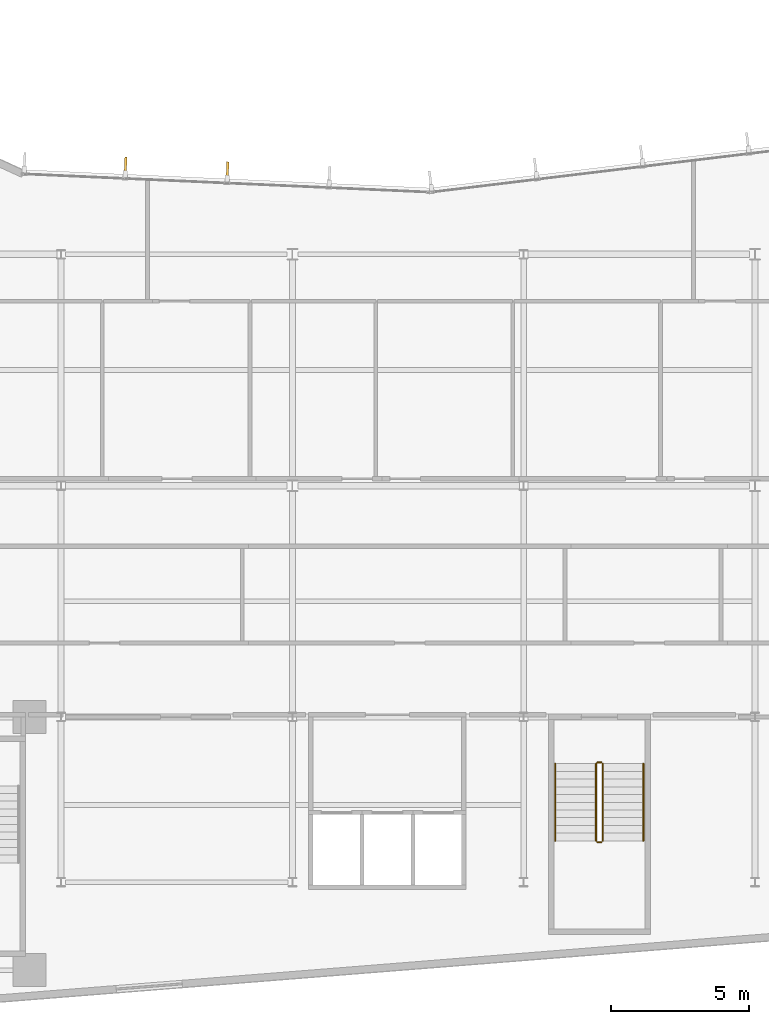
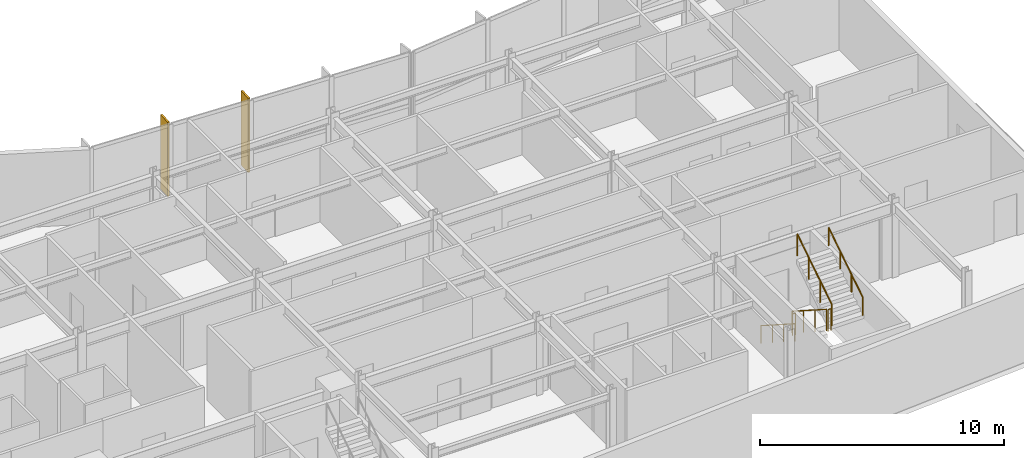
# One storey, part 14 of 17: 6 railings, 2 shading devices.
"""IFC4 building model written with IfcOpenShell, lengths in metres."""

from ifc_helpers import new_model, si_unit, direction, frame, origin, origin_2d, place, context, subcontext, project, spatial, rectangle, circle, extrude, material, layer, layer_set, type_object, element, save


model = new_model("IFC4")

# Units and contexts
model_context = context("Model", 3, precision=1e-05, world=origin(), true_north=direction((0.0, 1.0)))
body_context = subcontext(model_context, "Body", "Model", "MODEL_VIEW")
ifc_project = project(units=[si_unit("LENGTHUNIT", "METRE"), si_unit("AREAUNIT", "SQUARE_METRE"), si_unit("VOLUMEUNIT", "CUBIC_METRE"), si_unit("PLANEANGLEUNIT", "RADIAN"), si_unit("MASSUNIT", "GRAM", prefix="KILO")], contexts=[model_context])

# Site, building, storey
site_placement = place(None, origin())
site = spatial("IfcSite", under=ifc_project, at=site_placement, CompositionType="ELEMENT")
building_placement = place(site_placement, origin())
building = spatial("IfcBuilding", under=site, at=building_placement, Name="Varnakote Quay Hospital", CompositionType="ELEMENT")
storey_placement = place(building_placement, frame((0.0, 0.0, 111.25)))
storey = spatial("IfcBuildingStorey", under=building, at=storey_placement, Name="L27", CompositionType="ELEMENT", Elevation=111.25)

# Railings
ifc_material_1 = material(Name="Brushed stainless steel balustrade", Category="steel")
railing_type_1 = type_object("IfcRailingType", Name="RLG-STAIR-GUARD-1150", PredefinedType="GUARDRAIL", material=ifc_material_1)
railing_1_placement = place(storey_placement, frame((44.6298828125, 10.300048828125, 0.179443359375)))
element("IfcRailing", 1, at=railing_1_placement, inside=storey, type_object=railing_type_1, Name="L27 ST-03 stair guard 1", PredefinedType="GUARDRAIL", context=body_context, shape_type="SweptSolid", body=[
    extrude(circle(Radius=0.02392578125, at=origin_2d()), frame((0.0, 0.0, 1.076171875), z_axis=(0.0, -0.841776520102, 0.539826166654), x_axis=(1.0, 0.0, 0.0)), (0.0, 0.0, 1.0), 3.326416015625),
    extrude(circle(Radius=0.02099609375, at=origin_2d()), origin(), (0.0, 0.0, 1.0), 1.052001953125),
    extrude(circle(Radius=0.02099609375, at=origin_2d()), frame((0.0, -0.933349609375, 0.5986328125)), (0.0, 0.0, 1.0), 1.052001953125),
    extrude(circle(Radius=0.02099609375, at=origin_2d()), frame((0.0, -1.86669921875, 1.197021484375)), (0.0, 0.0, 1.0), 1.052001953125),
    extrude(circle(Radius=0.02099609375, at=origin_2d()), frame((0.0, -2.800048828125, 1.795654296875)), (0.0, 0.0, 1.0), 1.052001953125),
])
railing_2_placement = place(storey_placement, frame((44.679931640625, 7.449951171875, 1.97509765625)))
element("IfcRailing", 2, at=railing_2_placement, inside=storey, type_object=railing_type_1, Name="L27 ST-03 stair guard 2", PredefinedType="GUARDRAIL", context=body_context, shape_type="SweptSolid", body=[
    extrude(circle(Radius=0.02392578125, at=origin_2d()), frame((0.0, 0.0, 1.076171875), z_axis=(1.0, 0.0, 0.0), x_axis=(0.0, 1.0, 0.0)), (0.0, 0.0, 1.0), 0.14013671875),
    extrude(circle(Radius=0.02099609375, at=origin_2d()), origin(), (0.0, 0.0, 1.0), 1.052001953125),
    extrude(circle(Radius=0.02099609375, at=origin_2d()), frame((0.14013671875, 0.0, 0.0)), (0.0, 0.0, 1.0), 1.052001953125),
])
railing_3_placement = place(storey_placement, frame((44.8701171875, 7.5, 2.154541015625)))
element("IfcRailing", 3, at=railing_3_placement, inside=storey, type_object=railing_type_1, Name="L27 ST-03 stair guard 3", PredefinedType="GUARDRAIL", context=body_context, shape_type="SweptSolid", body=[
    extrude(circle(Radius=0.02392578125, at=origin_2d()), frame((0.0, 0.0, 1.076171875), z_axis=(0.0, 0.841809871826, 0.539774156196), x_axis=(-1.0, 0.0, 0.0)), (0.0, 0.0, 1.0), 3.326171875),
    extrude(circle(Radius=0.02099609375, at=origin_2d()), origin(), (0.0, 0.0, 1.0), 1.052001953125),
    extrude(circle(Radius=0.02099609375, at=origin_2d()), frame((0.0, 0.933349609375, 0.598388671875)), (0.0, 0.0, 1.0), 1.052001953125),
    extrude(circle(Radius=0.02099609375, at=origin_2d()), frame((0.0, 1.86669921875, 1.197021484375)), (0.0, 0.0, 1.0), 1.052001953125),
    extrude(circle(Radius=0.02099609375, at=origin_2d()), frame((0.0, 2.800048828125, 1.79541015625)), (0.0, 0.0, 1.0), 1.052001953125),
])
railing_4_placement = place(storey_placement, frame((44.679931640625, 10.35009765625, 0.0)))
element("IfcRailing", 4, at=railing_4_placement, inside=storey, type_object=railing_type_1, Name="L27 ST-03 stair guard 4", PredefinedType="GUARDRAIL", context=body_context, shape_type="SweptSolid", body=[
    extrude(circle(Radius=0.02392578125, at=origin_2d()), frame((0.0, 0.0, 1.076171875), z_axis=(1.0, 0.0, 0.0), x_axis=(0.0, 1.0, 0.0)), (0.0, 0.0, 1.0), 0.14013671875),
    extrude(circle(Radius=0.02099609375, at=origin_2d()), origin(), (0.0, 0.0, 1.0), 1.052001953125),
    extrude(circle(Radius=0.02099609375, at=origin_2d()), frame((0.14013671875, 0.0, 0.0)), (0.0, 0.0, 1.0), 1.052001953125),
])
ifc_material_2 = material(Name="Brushed stainless steel handrail", Category="steel")
railing_type_2 = type_object("IfcRailingType", Name="RLG-STAIR-HND-920", PredefinedType="HANDRAIL", material=ifc_material_2)
railing_5_placement = place(storey_placement, frame((43.14990234375, 10.300048828125, 0.179443359375)))
element("IfcRailing", 5, at=railing_5_placement, inside=storey, type_object=railing_type_2, Name="L27 ST-03 stair handrail 1", PredefinedType="HANDRAIL", context=body_context, shape_type="SweptSolid", body=[
    extrude(circle(Radius=0.02392578125, at=origin_2d()), frame((0.0, 0.0, 0.8759765625), z_axis=(0.0, -0.841776520102, 0.539826166654), x_axis=(1.0, 0.0, 0.0)), (0.0, 0.0, 1.0), 3.326416015625),
    extrude(circle(Radius=0.02099609375, at=origin_2d()), origin(), (0.0, 0.0, 1.0), 0.851806640625),
    extrude(circle(Radius=0.02099609375, at=origin_2d()), frame((0.0, -0.933349609375, 0.5986328125)), (0.0, 0.0, 1.0), 0.851806640625),
    extrude(circle(Radius=0.02099609375, at=origin_2d()), frame((0.0, -1.86669921875, 1.197021484375)), (0.0, 0.0, 1.0), 0.851806640625),
    extrude(circle(Radius=0.02099609375, at=origin_2d()), frame((0.0, -2.800048828125, 1.795654296875)), (0.0, 0.0, 1.0), 0.851806640625),
])
railing_6_placement = place(storey_placement, frame((46.35009765625, 7.5, 2.154541015625)))
element("IfcRailing", 6, at=railing_6_placement, inside=storey, type_object=railing_type_2, Name="L27 ST-03 stair handrail 2", PredefinedType="HANDRAIL", context=body_context, shape_type="SweptSolid", body=[
    extrude(circle(Radius=0.02392578125, at=origin_2d()), frame((0.0, 0.0, 0.8759765625), z_axis=(0.0, 0.841809871826, 0.539774156196), x_axis=(-1.0, 0.0, 0.0)), (0.0, 0.0, 1.0), 3.326171875),
    extrude(circle(Radius=0.02099609375, at=origin_2d()), origin(), (0.0, 0.0, 1.0), 0.851806640625),
    extrude(circle(Radius=0.02099609375, at=origin_2d()), frame((0.0, 0.933349609375, 0.598388671875)), (0.0, 0.0, 1.0), 0.851806640625),
    extrude(circle(Radius=0.02099609375, at=origin_2d()), frame((0.0, 1.86669921875, 1.197021484375)), (0.0, 0.0, 1.0), 0.851806640625),
    extrude(circle(Radius=0.02099609375, at=origin_2d()), frame((0.0, 2.800048828125, 1.79541015625)), (0.0, 0.0, 1.0), 0.851806640625),
])

# Shading devices
ifc_material_3 = material(Name="Anodised aluminium 6063-T6 Bronze", Category="aluminium")
ifc_layer = layer(ifc_material_3, 0.0849609375)
ifc_layer_set = layer_set([ifc_layer], Name="Anodised aluminium 6063-T6 Bronze")
shading_device_type = type_object("IfcShadingDeviceType", Name="SHD-BRONZE-FIN-620", PredefinedType="USERDEFINED", material=ifc_layer_set)
for number, where, z_axis, x_axis, name in (
    (7, (31.244873046875, 31.85302734375, 0.0), (0.0, 0.0, 1.0), (-0.044839922168, -0.998994184858, 0.0), "L27 Anodised Bronze Vertical Shading FIN"),
    (8, (27.541748046875, 32.01904296875, 0.0), (0.0, 0.0, 1.0), (-0.044839922168, -0.998994184858, 0.0), "L27 Anodised Bronze Vertical Shading FIN"),
):
    element("IfcShadingDevice", number, at=place(storey_placement, frame(where, z_axis=z_axis, x_axis=x_axis)), inside=storey, type_object=shading_device_type, Name=name, ObjectType="FIN", PredefinedType="USERDEFINED", context=body_context, shape_type="SweptSolid", body=[
        extrude(rectangle(XDim=0.6201171875, YDim=0.0849609375, at=origin_2d()), origin(), (0.0, 0.0, 1.0), 3.7099609375),
    ])

save(model, "model.ifc")
